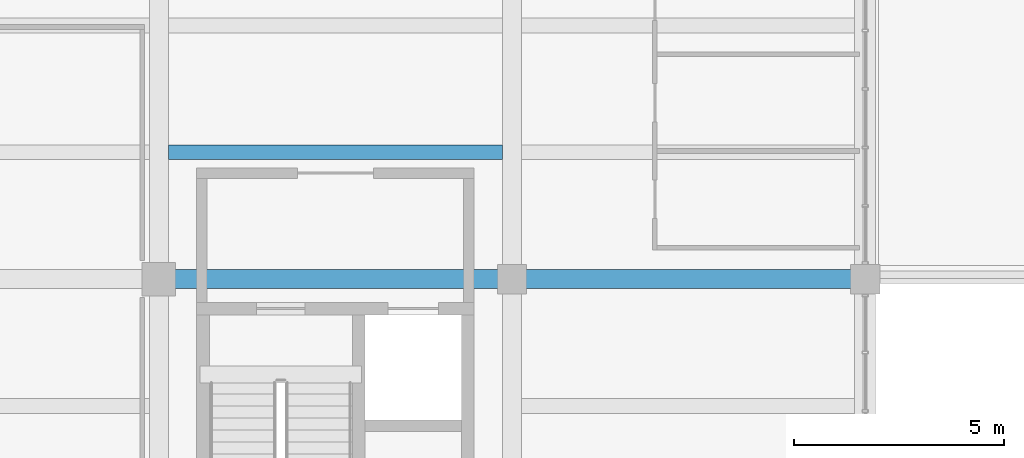
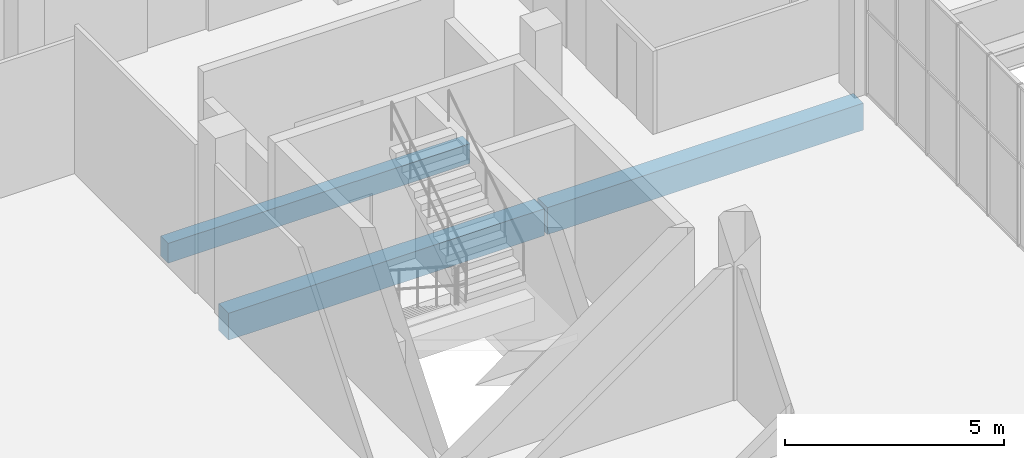
# One storey, part 22 of 80: 3 beams.
"""IFC4 building model written with IfcOpenShell, lengths in metres."""

from ifc_helpers import new_model, si_unit, direction, frame, origin, origin_2d, place, context, subcontext, project, spatial, rectangle, extrude, material, material_profile, profile_set, type_object, element, save


model = new_model("IFC4")

# Units and contexts
model_context = context("Model", 3, precision=1e-05, world=origin(), true_north=direction((0.0, 1.0)))
body_context = subcontext(model_context, "Body", "Model", "MODEL_VIEW")
ifc_project = project(units=[si_unit("LENGTHUNIT", "METRE"), si_unit("AREAUNIT", "SQUARE_METRE"), si_unit("VOLUMEUNIT", "CUBIC_METRE"), si_unit("PLANEANGLEUNIT", "RADIAN"), si_unit("MASSUNIT", "GRAM", prefix="KILO")], contexts=[model_context])

# Site, building, storey
site_placement = place(None, origin())
site = spatial("IfcSite", under=ifc_project, at=site_placement, CompositionType="ELEMENT")
building_placement = place(site_placement, origin())
building = spatial("IfcBuilding", under=site, at=building_placement, Name="Khurvash Pelagic Aquarium", CompositionType="ELEMENT")
storey_placement = place(building_placement, frame((0.0, 0.0, 10.800048828125)))
storey = spatial("IfcBuildingStorey", under=building, at=storey_placement, Name="L02", CompositionType="ELEMENT", Elevation=10.800048828125)

# Beams
ifc_material = material(Name="Concrete C35/45", Category="concrete")
ifc_material_profile_1 = material_profile(ifc_material, rectangle(XDim=0.449951171875, YDim=0.75, at=origin_2d()), Name="RC450X750")
ifc_profile_set_1 = profile_set([ifc_material_profile_1], Name="Concrete C35/45")
beam_type_1 = type_object("IfcBeamType", Name="BM-04", PredefinedType="BEAM", material=ifc_profile_set_1)
beam_1_placement = place(storey_placement, frame((92.43994140625, 20.699951171875, -0.695068359375), z_axis=(1.0, 0.0, 0.0), x_axis=(0.0, 1.0, 0.0)))
element("IfcBeam", 1, at=beam_1_placement, inside=storey, type_object=beam_type_1, Name="L02 Primary Girder BM-04 00588", PredefinedType="BEAM", context=body_context, shape_type="SweptSolid", body=[
    extrude(rectangle(XDim=0.449951171875, YDim=0.75, at=origin_2d()), origin(), (0.0, 0.0, 1.0), 8.320068359375),
])
beam_2_placement = place(storey_placement, frame((100.840087890625, 20.699951171875, -0.695068359375), z_axis=(1.0, 0.0, 0.0), x_axis=(0.0, 1.0, 0.0)))
element("IfcBeam", 2, at=beam_2_placement, inside=storey, type_object=beam_type_1, Name="L02 Primary Girder BM-04 00589", PredefinedType="BEAM", context=body_context, shape_type="SweptSolid", body=[
    extrude(rectangle(XDim=0.449951171875, YDim=0.75, at=origin_2d()), origin(), (0.0, 0.0, 1.0), 8.31982421875),
])
ifc_material_profile_2 = material_profile(ifc_material, rectangle(XDim=0.35009765625, YDim=0.550048828125, at=origin_2d()), Name="RC350X550")
ifc_profile_set_2 = profile_set([ifc_material_profile_2], Name="Concrete C35/45")
beam_type_2 = type_object("IfcBeamType", Name="JS-01", PredefinedType="JOIST", material=ifc_profile_set_2)
beam_3_placement = place(storey_placement, frame((92.625, 23.717041015625, -0.574951171875), z_axis=(1.0, 0.0, 0.0), x_axis=(0.0, 1.0, 0.0)))
element("IfcBeam", 3, at=beam_3_placement, inside=storey, type_object=beam_type_2, Name="L02 Floor Joist JS-01 00807", PredefinedType="JOIST", context=body_context, shape_type="SweptSolid", body=[
    extrude(rectangle(XDim=0.35009765625, YDim=0.550048828125, at=origin_2d()), origin(), (0.0, 0.0, 1.0), 7.949951171875),
])

save(model, "model.ifc")
